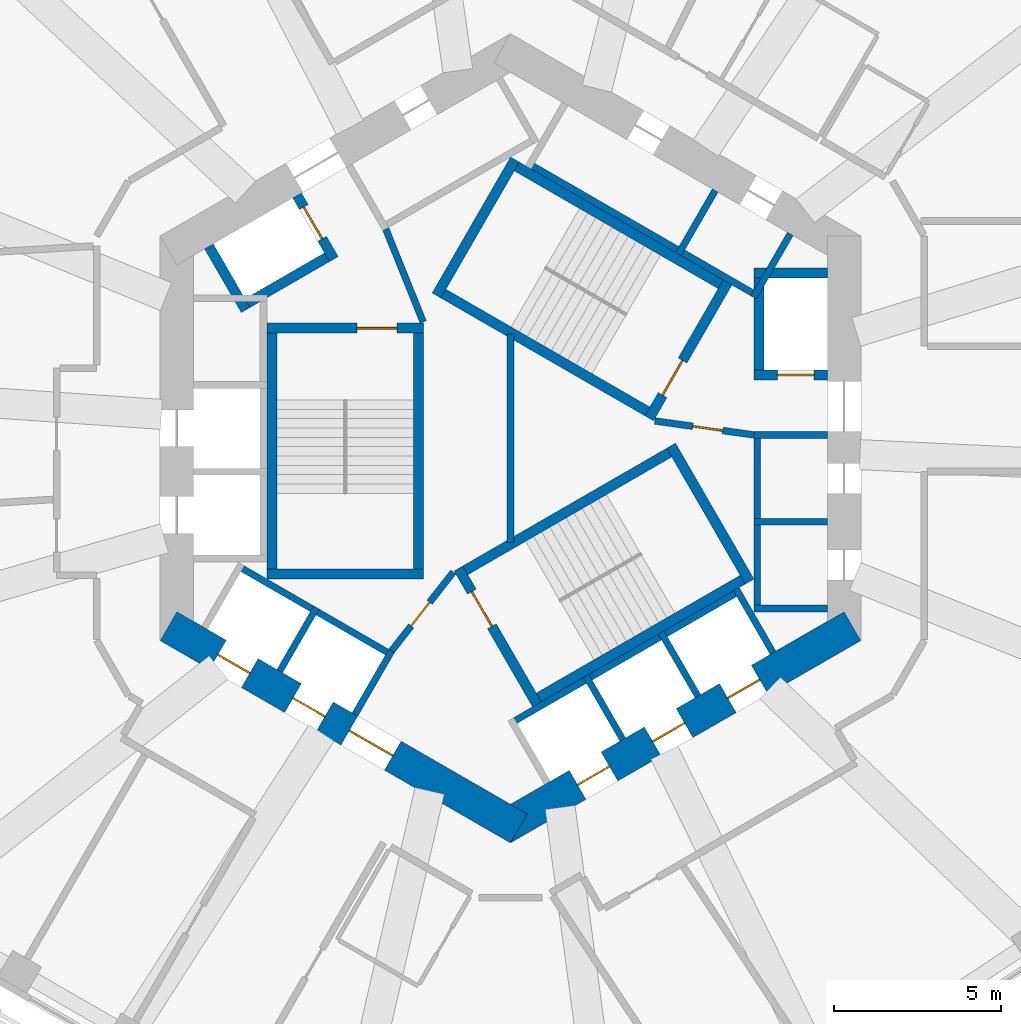
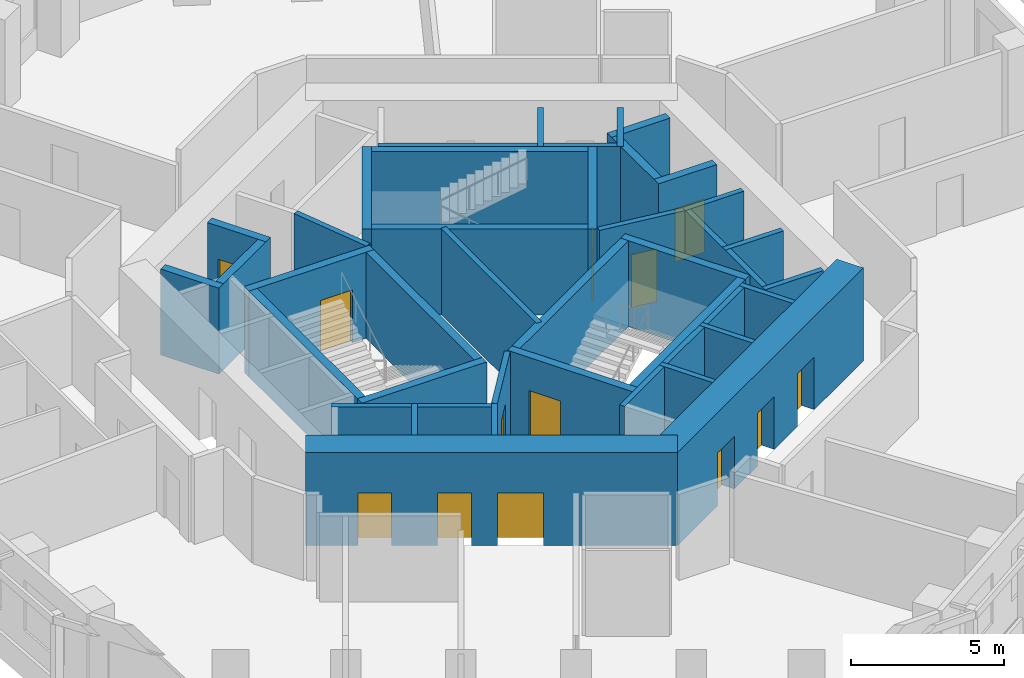
# One storey, part 5 of 10: 38 walls, 13 doors, 13 openings.
"""IFC4 building model written with IfcOpenShell, lengths in metres."""

from ifc_helpers import new_model, si_unit, direction, frame, frame_2d, origin, place, context, subcontext, project, spatial, rectangle, extrude, material, layer, layer_set, type_object, element, fill, save


model = new_model("IFC4")

# Units and contexts
model_context = context("Model", 3, precision=1e-05, world=origin(), true_north=direction((0.0, 1.0)))
body_context = subcontext(model_context, "Body", "Model", "MODEL_VIEW")
ifc_project = project(units=[si_unit("LENGTHUNIT", "METRE"), si_unit("AREAUNIT", "SQUARE_METRE"), si_unit("VOLUMEUNIT", "CUBIC_METRE"), si_unit("PLANEANGLEUNIT", "RADIAN"), si_unit("MASSUNIT", "GRAM", prefix="KILO")], contexts=[model_context])

# Site, building, storey
site_placement = place(None, origin())
site = spatial("IfcSite", under=ifc_project, at=site_placement, CompositionType="ELEMENT")
building_placement = place(site_placement, origin())
building = spatial("IfcBuilding", under=site, at=building_placement, Name="Vanh Sen Convention Tower", CompositionType="ELEMENT")
storey_placement = place(building_placement, frame((0.0, 0.0, 165.10009765625)))
storey = spatial("IfcBuildingStorey", under=building, at=storey_placement, Name="L40", CompositionType="ELEMENT", Elevation=165.10009765625)

# Wall, openings, doors
ifc_material_1 = material(Name="Concrete C80/95", Category="concrete")
ifc_layer_1 = layer(ifc_material_1, 1.0)
ifc_layer_set_1 = layer_set([ifc_layer_1], Name="Concrete C80/95")
wall_type_1 = type_object("IfcWallType", Name="Core outer wall 1000 C80/95", PredefinedType="SHEAR", material=ifc_layer_set_1)
wall_1_placement = place(storey_placement, frame((-10.25, -5.629150390625, 0.0), z_axis=(0.0, 0.0, 1.0), x_axis=(0.866022616891, -0.50000482701, 0.0)))
wall_1 = element("IfcWall", 1, at=wall_1_placement, inside=storey, type_object=wall_type_1, Name="Core wall face SW L40", PredefinedType="SHEAR", context=body_context, shape_type="SweptSolid", body=[
    extrude(rectangle(XDim=12.12451171875, YDim=1.0, at=frame_2d((6.062255859375, 0.0))), origin(), (0.0, 0.0, 1.0), 3.699951171875),
])
opening_1_placement = place(wall_1_placement, frame((6.26220703125, 0.0, 0.0)))
opening_1 = element("IfcOpeningElement", 2, at=opening_1_placement, cuts=wall_1, Name="Opening D38003", PredefinedType="OPENING", context=body_context, shape_type="SweptSolid", body=[
    extrude(rectangle(XDim=1.5, YDim=2.10009765625, at=frame_2d((0.75, 1.050048828125))), frame((0.0, 0.510009765625, 0.0), z_axis=(0.0, -1.0, 0.0), x_axis=(1.0, 0.0, 0.0)), (0.0, 0.0, 1.0), 1.02001953125),
])
opening_2_placement = place(wall_1_placement, frame((1.712158203125, 0.0, 0.0)))
opening_2 = element("IfcOpeningElement", 3, at=opening_2_placement, cuts=wall_1, Name="Opening LD-HR3", PredefinedType="OPENING", context=body_context, shape_type="SweptSolid", body=[
    extrude(rectangle(XDim=1.10009765625, YDim=2.10009765625, at=frame_2d((0.550048828125, 1.050048828125))), frame((0.0, 0.510009765625, 0.0), z_axis=(0.0, -1.0, 0.0), x_axis=(1.0, 0.0, 0.0)), (0.0, 0.0, 1.0), 1.02001953125),
])
opening_3_placement = place(wall_1_placement, frame((4.312255859375, 0.0, 0.0)))
opening_3 = element("IfcOpeningElement", 4, at=opening_3_placement, cuts=wall_1, Name="Opening LD-HR4", PredefinedType="OPENING", context=body_context, shape_type="SweptSolid", body=[
    extrude(rectangle(XDim=1.10009765625, YDim=2.10009765625, at=frame_2d((0.550048828125, 1.050048828125))), frame((0.0, 0.510009765625, 0.0), z_axis=(0.0, -1.0, 0.0), x_axis=(1.0, 0.0, 0.0)), (0.0, 0.0, 1.0), 1.02001953125),
])
ifc_material_2 = material(Name="Stainless steel", Category="steel")
door_type_1 = type_object("IfcDoorType", Name="Lift landing door 1100", OperationType="DOUBLE_DOOR_SLIDING", PredefinedType="DOOR", material=ifc_material_2)
door_1_placement = place(opening_2_placement, origin())
door_1 = element("IfcDoor", 5, at=door_1_placement, inside=storey, type_object=door_type_1, Name="Lift HR3 landing door LD-HR3", OperationType="DOUBLE_DOOR_SLIDING", OverallHeight=2.10009765625, OverallWidth=1.10009765625, PredefinedType="DOOR", context=body_context, shape_type="SweptSolid", body=[
    extrude(rectangle(XDim=1.10009765625, YDim=2.10009765625, at=frame_2d((0.550048828125, 1.050048828125))), frame((0.0, 0.02490234375, 0.0), z_axis=(0.0, -1.0, 0.0), x_axis=(1.0, 0.0, 0.0)), (0.0, 0.0, 1.0), 0.050048828125),
])
fill(opening_2, door_1)
door_2_placement = place(opening_3_placement, origin())
door_2 = element("IfcDoor", 6, at=door_2_placement, inside=storey, type_object=door_type_1, Name="Lift HR4 landing door LD-HR4", OperationType="DOUBLE_DOOR_SLIDING", OverallHeight=2.10009765625, OverallWidth=1.10009765625, PredefinedType="DOOR", context=body_context, shape_type="SweptSolid", body=[
    extrude(rectangle(XDim=1.10009765625, YDim=2.10009765625, at=frame_2d((0.550048828125, 1.050048828125))), frame((0.0, 0.02490234375, 0.0), z_axis=(0.0, -1.0, 0.0), x_axis=(1.0, 0.0, 0.0)), (0.0, 0.0, 1.0), 0.050048828125),
])
fill(opening_3, door_2)
ifc_material_3 = material(Name="Steel S355", Category="steel")
door_type_2 = type_object("IfcDoorType", Name="Stair lobby door 1500", OperationType="DOUBLE_DOOR_SINGLE_SWING", PredefinedType="DOOR", material=ifc_material_3)
door_3_placement = place(opening_1_placement, origin())
door_3 = element("IfcDoor", 7, at=door_3_placement, inside=storey, type_object=door_type_2, Name="Stair lobby door D38003", OperationType="DOUBLE_DOOR_SINGLE_SWING", OverallHeight=2.10009765625, OverallWidth=1.5, PredefinedType="DOOR", context=body_context, shape_type="SweptSolid", body=[
    extrude(rectangle(XDim=1.5, YDim=2.10009765625, at=frame_2d((0.75, 1.050048828125))), frame((0.0, 0.02490234375, 0.0), z_axis=(0.0, -1.0, 0.0), x_axis=(1.0, 0.0, 0.0)), (0.0, 0.0, 1.0), 0.050048828125),
])
fill(opening_1, door_3)

wall_2_placement = place(storey_placement, frame((-0.25, -11.69140625, 0.0), z_axis=(0.0, 0.0, 1.0), x_axis=(0.866022616891, 0.50000482701, 0.0)))
wall_2 = element("IfcWall", 8, at=wall_2_placement, inside=storey, type_object=wall_type_1, Name="Core wall face SE L40", PredefinedType="SHEAR", context=body_context, shape_type="SweptSolid", body=[
    extrude(rectangle(XDim=12.12451171875, YDim=1.0, at=frame_2d((6.062255859375, 0.0))), origin(), (0.0, 0.0, 1.0), 3.699951171875),
])
opening_4_placement = place(wall_2_placement, frame((2.6123046875, 0.0, 0.0)))
opening_4 = element("IfcOpeningElement", 9, at=opening_4_placement, cuts=wall_2, Name="Opening LD-HR5", PredefinedType="OPENING", context=body_context, shape_type="SweptSolid", body=[
    extrude(rectangle(XDim=1.10009765625, YDim=2.10009765625, at=frame_2d((0.550048828125, 1.050048828125))), frame((0.0, 0.510009765625, 0.0), z_axis=(0.0, -1.0, 0.0), x_axis=(1.0, 0.0, 0.0)), (0.0, 0.0, 1.0), 1.02001953125),
])
opening_5_placement = place(wall_2_placement, frame((5.212158203125, 0.0, 0.0)))
opening_5 = element("IfcOpeningElement", 10, at=opening_5_placement, cuts=wall_2, Name="Opening LD-HR6", PredefinedType="OPENING", context=body_context, shape_type="SweptSolid", body=[
    extrude(rectangle(XDim=1.10009765625, YDim=2.10009765625, at=frame_2d((0.550048828125, 1.050048828125))), frame((0.0, 0.510009765625, 0.0), z_axis=(0.0, -1.0, 0.0), x_axis=(1.0, 0.0, 0.0)), (0.0, 0.0, 1.0), 1.02001953125),
])
opening_6_placement = place(wall_2_placement, frame((7.812255859375, 0.0, 0.0)))
opening_6 = element("IfcOpeningElement", 11, at=opening_6_placement, cuts=wall_2, Name="Opening LD-SV1", PredefinedType="OPENING", context=body_context, shape_type="SweptSolid", body=[
    extrude(rectangle(XDim=1.10009765625, YDim=2.10009765625, at=frame_2d((0.550048828125, 1.050048828125))), frame((0.0, 0.510009765625, 0.0), z_axis=(0.0, -1.0, 0.0), x_axis=(1.0, 0.0, 0.0)), (0.0, 0.0, 1.0), 1.02001953125),
])
door_4_placement = place(opening_4_placement, origin())
door_4 = element("IfcDoor", 12, at=door_4_placement, inside=storey, type_object=door_type_1, Name="Lift HR5 landing door LD-HR5", OperationType="DOUBLE_DOOR_SLIDING", OverallHeight=2.10009765625, OverallWidth=1.10009765625, PredefinedType="DOOR", context=body_context, shape_type="SweptSolid", body=[
    extrude(rectangle(XDim=1.10009765625, YDim=2.10009765625, at=frame_2d((0.550048828125, 1.050048828125))), frame((0.0, 0.02490234375, 0.0), z_axis=(0.0, -1.0, 0.0), x_axis=(1.0, 0.0, 0.0)), (0.0, 0.0, 1.0), 0.050048828125),
])
fill(opening_4, door_4)
door_5_placement = place(opening_5_placement, origin())
door_5 = element("IfcDoor", 13, at=door_5_placement, inside=storey, type_object=door_type_1, Name="Lift HR6 landing door LD-HR6", OperationType="DOUBLE_DOOR_SLIDING", OverallHeight=2.10009765625, OverallWidth=1.10009765625, PredefinedType="DOOR", context=body_context, shape_type="SweptSolid", body=[
    extrude(rectangle(XDim=1.10009765625, YDim=2.10009765625, at=frame_2d((0.550048828125, 1.050048828125))), frame((0.0, 0.02490234375, 0.0), z_axis=(0.0, -1.0, 0.0), x_axis=(1.0, 0.0, 0.0)), (0.0, 0.0, 1.0), 0.050048828125),
])
fill(opening_5, door_5)
door_6_placement = place(opening_6_placement, origin())
door_6 = element("IfcDoor", 14, at=door_6_placement, inside=storey, type_object=door_type_1, Name="Lift SV1 landing door LD-SV1", OperationType="DOUBLE_DOOR_SLIDING", OverallHeight=2.10009765625, OverallWidth=1.10009765625, PredefinedType="DOOR", context=body_context, shape_type="SweptSolid", body=[
    extrude(rectangle(XDim=1.10009765625, YDim=2.10009765625, at=frame_2d((0.550048828125, 1.050048828125))), frame((0.0, 0.02490234375, 0.0), z_axis=(0.0, -1.0, 0.0), x_axis=(1.0, 0.0, 0.0)), (0.0, 0.0, 1.0), 0.050048828125),
])
fill(opening_6, door_6)

# Wall
ifc_material_4 = material(Name="Masonry blockwork", Category="masonry")
ifc_layer_2 = layer(ifc_material_4, 0.199951171875)
ifc_layer_set_2 = layer_set([ifc_layer_2], Name="Masonry blockwork")
wall_type_2 = type_object("IfcWallType", Name="Core partition 200", PredefinedType="PARTITIONING", material=ifc_layer_set_2)
wall_3_placement = place(storey_placement, frame((0.0, -3.122314453125, 0.0), z_axis=(0.0, 0.0, 1.0), x_axis=(0.0, 1.0, 0.0)))
element("IfcWall", 15, at=wall_3_placement, inside=storey, type_object=wall_type_2, Name="Core partition L40", PredefinedType="PARTITIONING", context=body_context, shape_type="SweptSolid", body=[
    extrude(rectangle(XDim=6.24462890625, YDim=0.199951171875, at=frame_2d((3.122314453125, 0.0))), origin(), (0.0, 0.0, 1.0), 3.419921875),
])

# Wall, opening, door
ifc_material_5 = material(Name="Concrete C60/75", Category="concrete")
ifc_layer_3 = layer(ifc_material_5, 0.300048828125)
ifc_layer_set_3 = layer_set([ifc_layer_3], Name="Concrete C60/75")
wall_type_3 = type_object("IfcWallType", Name="Fire-fighting lift shaft wall 300", PredefinedType="SHEAR", material=ifc_layer_set_3)
wall_4_placement = place(storey_placement, frame((7.300048828125, 1.89990234375, 0.0), z_axis=(0.0, 0.0, 1.0), x_axis=(1.0, 0.0, 0.0)))
wall_4 = element("IfcWall", 16, at=wall_4_placement, inside=storey, type_object=wall_type_3, Name="Fire-fighting lift shaft wall L40", PredefinedType="SHEAR", context=body_context, shape_type="SweptSolid", body=[
    extrude(rectangle(XDim=2.199951171875, YDim=0.300048828125, at=frame_2d((1.10009765625, 0.0))), origin(), (0.0, 0.0, 1.0), 3.419921875),
])
opening_7_placement = place(wall_4_placement, frame((0.699951171875, 0.0, 0.0)))
opening_7 = element("IfcOpeningElement", 17, at=opening_7_placement, cuts=wall_4, Name="Opening LD-FF1", PredefinedType="OPENING", context=body_context, shape_type="SweptSolid", body=[
    extrude(rectangle(XDim=1.10009765625, YDim=2.10009765625, at=frame_2d((0.550048828125, 1.050048828125))), frame((0.0, 0.159912109375, 0.0), z_axis=(0.0, -1.0, 0.0), x_axis=(1.0, 0.0, 0.0)), (0.0, 0.0, 1.0), 0.320068359375),
])
door_type_3 = type_object("IfcDoorType", Name="Fire-fighting lift landing door 1100", OperationType="DOUBLE_DOOR_SLIDING", PredefinedType="DOOR", material=ifc_material_2)
door_7_placement = place(opening_7_placement, origin())
door_7 = element("IfcDoor", 18, at=door_7_placement, inside=storey, type_object=door_type_3, Name="Lift FF1 landing door LD-FF1", OperationType="DOUBLE_DOOR_SLIDING", OverallHeight=2.10009765625, OverallWidth=1.10009765625, PredefinedType="DOOR", context=body_context, shape_type="SweptSolid", body=[
    extrude(rectangle(XDim=1.10009765625, YDim=2.10009765625, at=frame_2d((0.550048828125, 1.050048828125))), frame((0.0, 0.02490234375, 0.0), z_axis=(0.0, -1.0, 0.0), x_axis=(1.0, 0.0, 0.0)), (0.0, 0.0, 1.0), 0.050048828125),
])
fill(opening_7, door_7)

# Walls
wall_5_placement = place(storey_placement, frame((7.449951171875, 1.75, 0.0), z_axis=(0.0, 0.0, 1.0), x_axis=(0.0, 1.0, 0.0)))
element("IfcWall", 19, at=wall_5_placement, inside=storey, type_object=wall_type_3, Name="Fire-fighting lift shaft wall L40", PredefinedType="SHEAR", context=body_context, shape_type="SweptSolid", body=[
    extrude(rectangle(XDim=3.35009765625, YDim=0.300048828125, at=frame_2d((1.675048828125, 0.0))), origin(), (0.0, 0.0, 1.0), 3.419921875),
])
wall_6_placement = place(storey_placement, frame((7.300048828125, 4.949951171875, 0.0), z_axis=(0.0, 0.0, 1.0), x_axis=(1.0, 0.0, 0.0)))
element("IfcWall", 20, at=wall_6_placement, inside=storey, type_object=wall_type_3, Name="Fire-fighting lift shaft wall L40", PredefinedType="SHEAR", context=body_context, shape_type="SweptSolid", body=[
    extrude(rectangle(XDim=2.199951171875, YDim=0.300048828125, at=frame_2d((1.10009765625, 0.0))), origin(), (0.0, 0.0, 1.0), 3.419921875),
])

# Wall, opening, door
wall_7_placement = place(storey_placement, frame((-5.29541015625, 5.3720703125, 0.0), z_axis=(0.0, 0.0, 1.0), x_axis=(-0.500077893725, 0.86598042715, 0.0)))
wall_7 = element("IfcWall", 21, at=wall_7_placement, inside=storey, type_object=wall_type_3, Name="Fire-fighting lift shaft wall L40", PredefinedType="SHEAR", context=body_context, shape_type="SweptSolid", body=[
    extrude(rectangle(XDim=2.199951171875, YDim=0.300048828125, at=frame_2d((1.10009765625, 0.0))), origin(), (0.0, 0.0, 1.0), 3.419921875),
])
opening_8_placement = place(wall_7_placement, frame((0.699951171875, 0.0, 0.0)))
opening_8 = element("IfcOpeningElement", 22, at=opening_8_placement, cuts=wall_7, Name="Opening LD-FF2", PredefinedType="OPENING", context=body_context, shape_type="SweptSolid", body=[
    extrude(rectangle(XDim=1.10009765625, YDim=2.10009765625, at=frame_2d((0.550048828125, 1.050048828125))), frame((0.0, 0.159912109375, 0.0), z_axis=(0.0, -1.0, 0.0), x_axis=(1.0, 0.0, 0.0)), (0.0, 0.0, 1.0), 0.320068359375),
])
door_8_placement = place(opening_8_placement, origin())
door_8 = element("IfcDoor", 23, at=door_8_placement, inside=storey, type_object=door_type_3, Name="Lift FF2 landing door LD-FF2", OperationType="DOUBLE_DOOR_SLIDING", OverallHeight=2.10009765625, OverallWidth=1.10009765625, PredefinedType="DOOR", context=body_context, shape_type="SweptSolid", body=[
    extrude(rectangle(XDim=1.10009765625, YDim=2.10009765625, at=frame_2d((0.550048828125, 1.050048828125))), frame((0.0, 0.02490234375, 0.0), z_axis=(0.0, -1.0, 0.0), x_axis=(1.0, 0.0, 0.0)), (0.0, 0.0, 1.0), 0.050048828125),
])
fill(opening_8, door_8)

# Walls
wall_8_placement = place(storey_placement, frame((-5.240478515625, 5.576904296875, 0.0), z_axis=(0.0, 0.0, 1.0), x_axis=(-0.866014461049, -0.500018952895, 0.0)))
element("IfcWall", 24, at=wall_8_placement, inside=storey, type_object=wall_type_3, Name="Fire-fighting lift shaft wall L40", PredefinedType="SHEAR", context=body_context, shape_type="SweptSolid", body=[
    extrude(rectangle(XDim=3.349853515625, YDim=0.300048828125, at=frame_2d((1.6748046875, 0.0))), origin(), (0.0, 0.0, 1.0), 3.419921875),
])
wall_9_placement = place(storey_placement, frame((-7.936767578125, 3.846923828125, 0.0), z_axis=(0.0, 0.0, 1.0), x_axis=(-0.50002983664, 0.866008176907, 0.0)))
element("IfcWall", 25, at=wall_9_placement, inside=storey, type_object=wall_type_3, Name="Fire-fighting lift shaft wall L40", PredefinedType="SHEAR", context=body_context, shape_type="SweptSolid", body=[
    extrude(rectangle(XDim=2.199951171875, YDim=0.300048828125, at=frame_2d((1.10009765625, 0.0))), origin(), (0.0, 0.0, 1.0), 3.419921875),
])
ifc_material_6 = material(Name="Concrete C40/50", Category="concrete")
ifc_layer_4 = layer(ifc_material_6, 0.199951171875)
ifc_layer_set_4 = layer_set([ifc_layer_4], Name="Concrete C40/50")
wall_type_4 = type_object("IfcWallType", Name="Lift shaft wall 200", PredefinedType="PARTITIONING", material=ifc_layer_set_4)
wall_10_placement = place(storey_placement, frame((7.39990234375, -5.199951171875, 0.0), z_axis=(0.0, 0.0, 1.0), x_axis=(0.0, 1.0, 0.0)))
element("IfcWall", 26, at=wall_10_placement, inside=storey, type_object=wall_type_4, Name="Lift shaft wall L40", PredefinedType="PARTITIONING", context=body_context, shape_type="SweptSolid", body=[
    extrude(rectangle(XDim=5.39990234375, YDim=0.199951171875, at=frame_2d((2.699951171875, 0.0))), origin(), (0.0, 0.0, 1.0), 3.419921875),
])
for number, where, z_axis, x_axis, name in (
    (27, (7.300048828125, -5.10009765625, 0.0), (0.0, 0.0, 1.0), (1.0, 0.0, 0.0), "Lift shaft wall L40"),
    (28, (7.300048828125, -2.5, 0.0), (0.0, 0.0, 1.0), (1.0, 0.0, 0.0), "Lift shaft wall L40"),
    (29, (7.300048828125, 0.10009765625, 0.0), (0.0, 0.0, 1.0), (1.0, 0.0, 0.0), "Lift shaft wall L40"),
):
    element("IfcWall", number, at=place(storey_placement, frame(where, z_axis=z_axis, x_axis=x_axis)), inside=storey, type_object=wall_type_4, Name=name, PredefinedType="PARTITIONING", context=body_context, shape_type="SweptSolid", body=[
        extrude(rectangle(XDim=2.199951171875, YDim=0.199951171875, at=frame_2d((1.10009765625, 0.0))), origin(), (0.0, 0.0, 1.0), 3.419921875),
    ])
wall_11_placement = place(storey_placement, frame((7.423828125, 4.258544921875, 0.0), z_axis=(0.0, 0.0, 1.0), x_axis=(-0.866026010844, 0.49999894854, 0.0)))
element("IfcWall", 30, at=wall_11_placement, inside=storey, type_object=wall_type_4, Name="Lift shaft wall L40", PredefinedType="PARTITIONING", context=body_context, shape_type="SweptSolid", body=[
    extrude(rectangle(XDim=8.0, YDim=0.199951171875, at=frame_2d((4.0, 0.0))), origin(), (0.0, 0.0, 1.0), 3.419921875),
])
for number, where, z_axis, x_axis, name in (
    (31, (7.287353515625, 4.221923828125, 0.0), (0.0, 0.0, 1.0), (0.499946605688, 0.86605622881, 0.0), "Lift shaft wall L40"),
    (32, (5.03564453125, 5.52197265625, 0.0), (0.0, 0.0, 1.0), (0.499946605688, 0.86605622881, 0.0), "Lift shaft wall L40"),
):
    element("IfcWall", number, at=place(storey_placement, frame(where, z_axis=z_axis, x_axis=x_axis)), inside=storey, type_object=wall_type_4, Name=name, PredefinedType="PARTITIONING", context=body_context, shape_type="SweptSolid", body=[
        extrude(rectangle(XDim=2.199951171875, YDim=0.199951171875, at=frame_2d((1.10009765625, 0.0))), origin(), (0.0, 0.0, 1.0), 3.419921875),
    ])
wall_12_placement = place(storey_placement, frame((-8.203369140625, -3.80859375, 0.0), z_axis=(0.0, 0.0, 1.0), x_axis=(0.866028230842, -0.499995103361, 0.0)))
element("IfcWall", 33, at=wall_12_placement, inside=storey, type_object=wall_type_4, Name="Lift shaft wall L40", PredefinedType="PARTITIONING", context=body_context, shape_type="SweptSolid", body=[
    extrude(rectangle(XDim=5.39990234375, YDim=0.199951171875, at=frame_2d((2.699951171875, 0.0))), origin(), (0.0, 0.0, 1.0), 3.419921875),
])
wall_13_placement = place(storey_placement, frame((-5.815185546875, -5.072021484375, 0.0), z_axis=(0.0, 0.0, 1.0), x_axis=(-0.499946605688, -0.86605622881, 0.0)))
element("IfcWall", 34, at=wall_13_placement, inside=storey, type_object=wall_type_4, Name="Lift shaft wall L40", PredefinedType="PARTITIONING", context=body_context, shape_type="SweptSolid", body=[
    extrude(rectangle(XDim=2.199951171875, YDim=0.199951171875, at=frame_2d((1.10009765625, 0.0))), origin(), (0.0, 0.0, 1.0), 3.419921875),
])
wall_14_placement = place(storey_placement, frame((-3.5634765625, -6.3720703125, 0.0), z_axis=(0.0, 0.0, 1.0), x_axis=(-0.499994660107, -0.866028486751, 0.0)))
element("IfcWall", 35, at=wall_14_placement, inside=storey, type_object=wall_type_4, Name="Lift shaft wall L40", PredefinedType="PARTITIONING", context=body_context, shape_type="SweptSolid", body=[
    extrude(rectangle(XDim=2.19970703125, YDim=0.199951171875, at=frame_2d((1.099853515625, 0.0))), origin(), (0.0, 0.0, 1.0), 3.419921875),
])
wall_15_placement = place(storey_placement, frame((-0.02392578125, -8.55859375, 0.0), z_axis=(0.0, 0.0, 1.0), x_axis=(0.866026010844, 0.49999894854, 0.0)))
element("IfcWall", 36, at=wall_15_placement, inside=storey, type_object=wall_type_4, Name="Lift shaft wall L40", PredefinedType="PARTITIONING", context=body_context, shape_type="SweptSolid", body=[
    extrude(rectangle(XDim=8.0, YDim=0.199951171875, at=frame_2d((4.0, 0.0))), origin(), (0.0, 0.0, 1.0), 3.419921875),
])
for number, where, z_axis, x_axis, name in (
    (37, (2.264404296875, -7.1220703125, 0.0), (0.0, 0.0, 1.0), (0.500077893725, -0.86598042715, 0.0), "Lift shaft wall L40"),
    (38, (4.51611328125, -5.822021484375, 0.0), (0.0, 0.0, 1.0), (0.499946605688, -0.86605622881, 0.0), "Lift shaft wall L40"),
    (39, (6.767578125, -4.52197265625, 0.0), (0.0, 0.0, 1.0), (0.50002983664, -0.866008176907, 0.0), "Lift shaft wall L40"),
):
    element("IfcWall", number, at=place(storey_placement, frame(where, z_axis=z_axis, x_axis=x_axis)), inside=storey, type_object=wall_type_4, Name=name, PredefinedType="PARTITIONING", context=body_context, shape_type="SweptSolid", body=[
        extrude(rectangle(XDim=2.199951171875, YDim=0.199951171875, at=frame_2d((1.10009765625, 0.0))), origin(), (0.0, 0.0, 1.0), 3.419921875),
    ])

# Wall, opening, door
ifc_layer_5 = layer(ifc_material_6, 0.199951171875)
ifc_layer_set_5 = layer_set([ifc_layer_5], Name="Concrete C40/50")
wall_type_5 = type_object("IfcWallType", Name="Stair lobby wall 200", PredefinedType="PARTITIONING", material=ifc_layer_set_5)
wall_16_placement = place(storey_placement, frame((4.327392578125, 0.52099609375, 0.0), z_axis=(0.0, 0.0, 1.0), x_axis=(0.990124376366, -0.14019172346, 0.0)))
wall_16 = element("IfcWall", 40, at=wall_16_placement, inside=storey, type_object=wall_type_5, Name="Stair lobby wall L40", PredefinedType="PARTITIONING", context=body_context, shape_type="SweptSolid", body=[
    extrude(rectangle(XDim=3.002197265625, YDim=0.199951171875, at=frame_2d((1.5009765625, 0.0))), origin(), (0.0, 0.0, 1.0), 3.419921875),
])
opening_9_placement = place(wall_16_placement, frame((1.14990234375, 0.0, 0.0)))
opening_9 = element("IfcOpeningElement", 41, at=opening_9_placement, cuts=wall_16, Name="Opening D38007", PredefinedType="OPENING", context=body_context, shape_type="SweptSolid", body=[
    extrude(rectangle(XDim=0.89990234375, YDim=2.10009765625, at=frame_2d((0.449951171875, 1.050048828125))), frame((0.0, 0.10986328125, 0.0), z_axis=(0.0, -1.0, 0.0), x_axis=(1.0, 0.0, 0.0)), (0.0, 0.0, 1.0), 0.219970703125),
])
door_type_4 = type_object("IfcDoorType", Name="Plant door 900", OperationType="SINGLE_SWING_LEFT", PredefinedType="DOOR", material=ifc_material_3)
door_9_placement = place(opening_9_placement, origin())
door_9 = element("IfcDoor", 42, at=door_9_placement, inside=storey, type_object=door_type_4, Name="Plant door D38007", OperationType="SINGLE_SWING_LEFT", OverallHeight=2.10009765625, OverallWidth=0.89990234375, PredefinedType="DOOR", context=body_context, shape_type="SweptSolid", body=[
    extrude(rectangle(XDim=0.89990234375, YDim=2.10009765625, at=frame_2d((0.449951171875, 1.050048828125))), frame((0.0, 0.02490234375, 0.0), z_axis=(0.0, -1.0, 0.0), x_axis=(1.0, 0.0, 0.0)), (0.0, 0.0, 1.0), 0.050048828125),
])
fill(opening_9, door_9)

# Wall
wall_17_placement = place(storey_placement, frame((-2.614990234375, 3.487060546875, 0.0), z_axis=(0.0, 0.0, 1.0), x_axis=(-0.373576831041, 0.92759924068, 0.0)))
element("IfcWall", 43, at=wall_17_placement, inside=storey, type_object=wall_type_5, Name="Stair lobby wall L40", PredefinedType="PARTITIONING", context=body_context, shape_type="SweptSolid", body=[
    extrude(rectangle(XDim=3.002197265625, YDim=0.199951171875, at=frame_2d((1.5009765625, 0.0))), origin(), (0.0, 0.0, 1.0), 3.419921875),
])

# Wall, opening, door
wall_18_placement = place(storey_placement, frame((-1.71240234375, -4.00830078125, 0.0), z_axis=(0.0, 0.0, 1.0), x_axis=(-0.616549420702, -0.787316208287, 0.0)))
wall_18 = element("IfcWall", 44, at=wall_18_placement, inside=storey, type_object=wall_type_5, Name="Stair lobby wall L40", PredefinedType="PARTITIONING", context=body_context, shape_type="SweptSolid", body=[
    extrude(rectangle(XDim=3.002197265625, YDim=0.199951171875, at=frame_2d((1.5009765625, 0.0))), origin(), (0.0, 0.0, 1.0), 3.419921875),
])
opening_10_placement = place(wall_18_placement, frame((1.14990234375, 0.0, 0.0)))
opening_10 = element("IfcOpeningElement", 45, at=opening_10_placement, cuts=wall_18, Name="Opening D38008", PredefinedType="OPENING", context=body_context, shape_type="SweptSolid", body=[
    extrude(rectangle(XDim=0.89990234375, YDim=2.10009765625, at=frame_2d((0.449951171875, 1.050048828125))), frame((0.0, 0.10986328125, 0.0), z_axis=(0.0, -1.0, 0.0), x_axis=(1.0, 0.0, 0.0)), (0.0, 0.0, 1.0), 0.219970703125),
])
door_10_placement = place(opening_10_placement, origin())
door_10 = element("IfcDoor", 46, at=door_10_placement, inside=storey, type_object=door_type_4, Name="Plant door D38008", OperationType="SINGLE_SWING_LEFT", OverallHeight=2.10009765625, OverallWidth=0.89990234375, PredefinedType="DOOR", context=body_context, shape_type="SweptSolid", body=[
    extrude(rectangle(XDim=0.89990234375, YDim=2.10009765625, at=frame_2d((0.449951171875, 1.050048828125))), frame((0.0, 0.02490234375, 0.0), z_axis=(0.0, -1.0, 0.0), x_axis=(1.0, 0.0, 0.0)), (0.0, 0.0, 1.0), 0.050048828125),
])
fill(opening_10, door_10)

ifc_layer_6 = layer(ifc_material_5, 0.300048828125)
ifc_layer_set_6 = layer_set([ifc_layer_6], Name="Concrete C60/75")
wall_type_6 = type_object("IfcWallType", Name="Stair wall 300", PredefinedType="SHEAR", material=ifc_layer_set_6)
wall_19_placement = place(storey_placement, frame((4.157958984375, 0.601806640625, 0.0), z_axis=(0.0, 0.0, 1.0), x_axis=(0.499977259774, 0.866038532462, 0.0)))
wall_19 = element("IfcWall", 47, at=wall_19_placement, inside=storey, type_object=wall_type_6, Name="Stair wall L40", PredefinedType="SHEAR", context=body_context, shape_type="SweptSolid", body=[
    extrude(rectangle(XDim=4.699951171875, YDim=0.300048828125, at=frame_2d((2.35009765625, 0.0))), origin(), (0.0, 0.0, 1.0), 3.419921875),
])
opening_11_placement = place(wall_19_placement, frame((0.800048828125, 0.0, 0.0)))
opening_11 = element("IfcOpeningElement", 48, at=opening_11_placement, cuts=wall_19, Name="Opening D38004", PredefinedType="OPENING", context=body_context, shape_type="SweptSolid", body=[
    extrude(rectangle(XDim=1.199951171875, YDim=2.10009765625, at=frame_2d((0.60009765625, 1.050048828125))), frame((0.0, 0.159912109375, 0.0), z_axis=(0.0, -1.0, 0.0), x_axis=(1.0, 0.0, 0.0)), (0.0, 0.0, 1.0), 0.320068359375),
])
door_type_5 = type_object("IfcDoorType", Name="Stair door 1200", OperationType="SINGLE_SWING_RIGHT", PredefinedType="DOOR", material=ifc_material_3)
door_11_placement = place(opening_11_placement, origin())
door_11 = element("IfcDoor", 49, at=door_11_placement, inside=storey, type_object=door_type_5, Name="Stair ST1 door D38004", OperationType="SINGLE_SWING_RIGHT", OverallHeight=2.10009765625, OverallWidth=1.199951171875, PredefinedType="DOOR", context=body_context, shape_type="SweptSolid", body=[
    extrude(rectangle(XDim=1.199951171875, YDim=2.10009765625, at=frame_2d((0.60009765625, 1.050048828125))), frame((0.0, 0.02490234375, 0.0), z_axis=(0.0, -1.0, 0.0), x_axis=(1.0, 0.0, 0.0)), (0.0, 0.0, 1.0), 0.050048828125),
])
fill(opening_11, door_11)

# Walls
wall_20_placement = place(storey_placement, frame((-2.216064453125, 4.28173828125, 0.0), z_axis=(0.0, 0.0, 1.0), x_axis=(0.499977259774, 0.866038532462, 0.0)))
element("IfcWall", 50, at=wall_20_placement, inside=storey, type_object=wall_type_6, Name="Stair wall L40", PredefinedType="SHEAR", context=body_context, shape_type="SweptSolid", body=[
    extrude(rectangle(XDim=4.699951171875, YDim=0.300048828125, at=frame_2d((2.35009765625, 0.0))), origin(), (0.0, 0.0, 1.0), 3.419921875),
])
for number, where, z_axis, x_axis, name in (
    (51, (4.10302734375, 0.806640625, 0.0), (0.0, 0.0, 1.0), (-0.866027801685, 0.499995846692, 0.0), "Stair wall L40"),
    (52, (6.302978515625, 4.6171875, 0.0), (0.0, 0.0, 1.0), (-0.866027801685, 0.499995846692, 0.0), "Stair wall L40"),
):
    element("IfcWall", number, at=place(storey_placement, frame(where, z_axis=z_axis, x_axis=x_axis)), inside=storey, type_object=wall_type_6, Name=name, PredefinedType="SHEAR", context=body_context, shape_type="SweptSolid", body=[
        extrude(rectangle(XDim=7.06005859375, YDim=0.300048828125, at=frame_2d((3.530029296875, 0.0))), origin(), (0.0, 0.0, 1.0), 3.419921875),
    ])

# Wall, opening, door
wall_21_placement = place(storey_placement, frame((-2.60009765625, 3.300048828125, 0.0), z_axis=(0.0, 0.0, 1.0), x_axis=(-1.0, 0.0, 0.0)))
wall_21 = element("IfcWall", 53, at=wall_21_placement, inside=storey, type_object=wall_type_6, Name="Stair wall L40", PredefinedType="SHEAR", context=body_context, shape_type="SweptSolid", body=[
    extrude(rectangle(XDim=4.699951171875, YDim=0.300048828125, at=frame_2d((2.35009765625, 0.0))), origin(), (0.0, 0.0, 1.0), 3.419921875),
])
opening_12_placement = place(wall_21_placement, frame((0.800048828125, 0.0, 0.0)))
opening_12 = element("IfcOpeningElement", 54, at=opening_12_placement, cuts=wall_21, Name="Opening D38005", PredefinedType="OPENING", context=body_context, shape_type="SweptSolid", body=[
    extrude(rectangle(XDim=1.199951171875, YDim=2.10009765625, at=frame_2d((0.60009765625, 1.050048828125))), frame((0.0, 0.159912109375, 0.0), z_axis=(0.0, -1.0, 0.0), x_axis=(1.0, 0.0, 0.0)), (0.0, 0.0, 1.0), 0.320068359375),
])
door_12_placement = place(opening_12_placement, origin())
door_12 = element("IfcDoor", 55, at=door_12_placement, inside=storey, type_object=door_type_5, Name="Stair ST2 door D38005", OperationType="SINGLE_SWING_RIGHT", OverallHeight=2.10009765625, OverallWidth=1.199951171875, PredefinedType="DOOR", context=body_context, shape_type="SweptSolid", body=[
    extrude(rectangle(XDim=1.199951171875, YDim=2.10009765625, at=frame_2d((0.60009765625, 1.050048828125))), frame((0.0, 0.02490234375, 0.0), z_axis=(0.0, -1.0, 0.0), x_axis=(1.0, 0.0, 0.0)), (0.0, 0.0, 1.0), 0.050048828125),
])
fill(opening_12, door_12)

# Walls
wall_22_placement = place(storey_placement, frame((-2.60009765625, -4.06005859375, 0.0), z_axis=(0.0, 0.0, 1.0), x_axis=(-1.0, 0.0, 0.0)))
element("IfcWall", 56, at=wall_22_placement, inside=storey, type_object=wall_type_6, Name="Stair wall L40", PredefinedType="SHEAR", context=body_context, shape_type="SweptSolid", body=[
    extrude(rectangle(XDim=4.699951171875, YDim=0.300048828125, at=frame_2d((2.35009765625, 0.0))), origin(), (0.0, 0.0, 1.0), 3.419921875),
])
for number, where, z_axis, x_axis, name in (
    (57, (-2.75, 3.14990234375, 0.0), (0.0, 0.0, 1.0), (0.0, -1.0, 0.0), "Stair wall L40"),
    (58, (-7.14990234375, 3.14990234375, 0.0), (0.0, 0.0, 1.0), (0.0, -1.0, 0.0), "Stair wall L40"),
):
    element("IfcWall", number, at=place(storey_placement, frame(where, z_axis=z_axis, x_axis=x_axis)), inside=storey, type_object=wall_type_6, Name=name, PredefinedType="SHEAR", context=body_context, shape_type="SweptSolid", body=[
        extrude(rectangle(XDim=7.059814453125, YDim=0.300048828125, at=frame_2d((3.52978515625, 0.0))), origin(), (0.0, 0.0, 1.0), 3.419921875),
    ])

# Wall, opening, door
wall_23_placement = place(storey_placement, frame((-1.557861328125, -3.901611328125, 0.0), z_axis=(0.0, 0.0, 1.0), x_axis=(0.499977259774, -0.866038532462, 0.0)))
wall_23 = element("IfcWall", 59, at=wall_23_placement, inside=storey, type_object=wall_type_6, Name="Stair wall L40", PredefinedType="SHEAR", context=body_context, shape_type="SweptSolid", body=[
    extrude(rectangle(XDim=4.699951171875, YDim=0.300048828125, at=frame_2d((2.35009765625, 0.0))), origin(), (0.0, 0.0, 1.0), 3.419921875),
])
opening_13_placement = place(wall_23_placement, frame((0.800048828125, 0.0, 0.0)))
opening_13 = element("IfcOpeningElement", 60, at=opening_13_placement, cuts=wall_23, Name="Opening D38006", PredefinedType="OPENING", context=body_context, shape_type="SweptSolid", body=[
    extrude(rectangle(XDim=1.199951171875, YDim=2.10009765625, at=frame_2d((0.60009765625, 1.050048828125))), frame((0.0, 0.159912109375, 0.0), z_axis=(0.0, -1.0, 0.0), x_axis=(1.0, 0.0, 0.0)), (0.0, 0.0, 1.0), 0.320068359375),
])
door_13_placement = place(opening_13_placement, origin())
door_13 = element("IfcDoor", 61, at=door_13_placement, inside=storey, type_object=door_type_5, Name="Stair ST3 door D38006", OperationType="SINGLE_SWING_RIGHT", OverallHeight=2.10009765625, OverallWidth=1.199951171875, PredefinedType="DOOR", context=body_context, shape_type="SweptSolid", body=[
    extrude(rectangle(XDim=1.199951171875, YDim=2.10009765625, at=frame_2d((0.60009765625, 1.050048828125))), frame((0.0, 0.02490234375, 0.0), z_axis=(0.0, -1.0, 0.0), x_axis=(1.0, 0.0, 0.0)), (0.0, 0.0, 1.0), 0.050048828125),
])
fill(opening_13, door_13)

# Walls
wall_24_placement = place(storey_placement, frame((4.816162109375, -0.2216796875, 0.0), z_axis=(0.0, 0.0, 1.0), x_axis=(0.499977259774, -0.866038532462, 0.0)))
element("IfcWall", 62, at=wall_24_placement, inside=storey, type_object=wall_type_6, Name="Stair wall L40", PredefinedType="SHEAR", context=body_context, shape_type="SweptSolid", body=[
    extrude(rectangle(XDim=4.699951171875, YDim=0.300048828125, at=frame_2d((2.35009765625, 0.0))), origin(), (0.0, 0.0, 1.0), 3.419921875),
])
for number, where, z_axis, x_axis, name in (
    (63, (-1.35302734375, -3.95654296875, 0.0), (0.0, 0.0, 1.0), (0.866027801685, 0.499995846692, 0.0), "Stair wall L40"),
    (64, (0.846923828125, -7.76708984375, 0.0), (0.0, 0.0, 1.0), (0.866027801685, 0.499995846692, 0.0), "Stair wall L40"),
):
    element("IfcWall", number, at=place(storey_placement, frame(where, z_axis=z_axis, x_axis=x_axis)), inside=storey, type_object=wall_type_6, Name=name, PredefinedType="SHEAR", context=body_context, shape_type="SweptSolid", body=[
        extrude(rectangle(XDim=7.06005859375, YDim=0.300048828125, at=frame_2d((3.530029296875, 0.0))), origin(), (0.0, 0.0, 1.0), 3.419921875),
    ])

save(model, "model.ifc")
